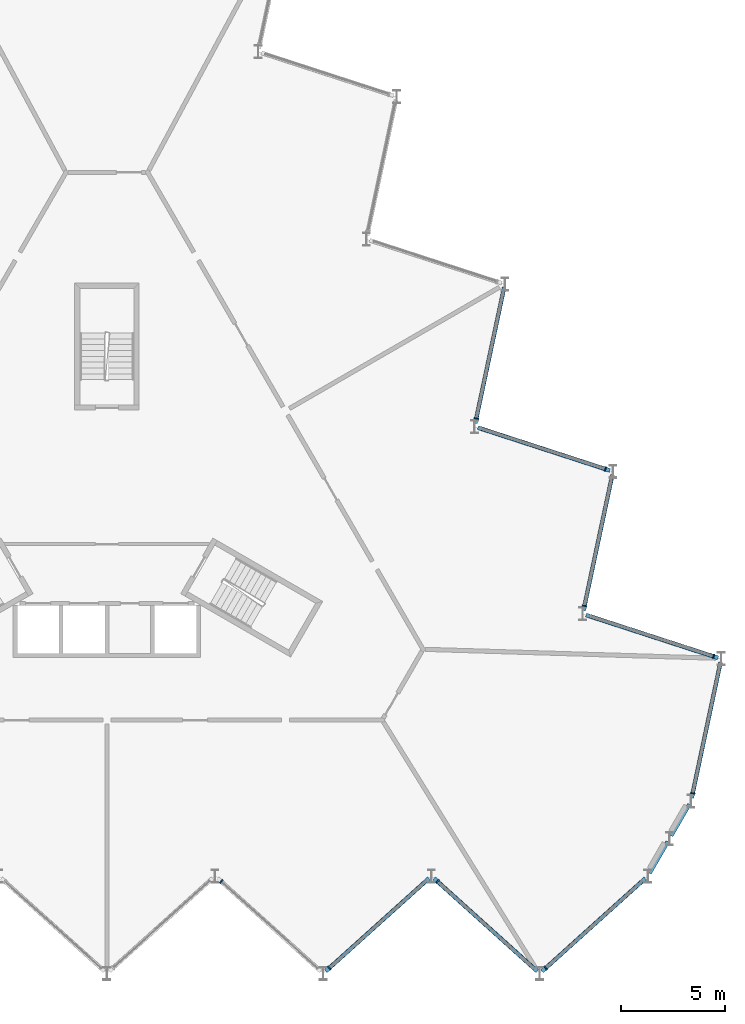
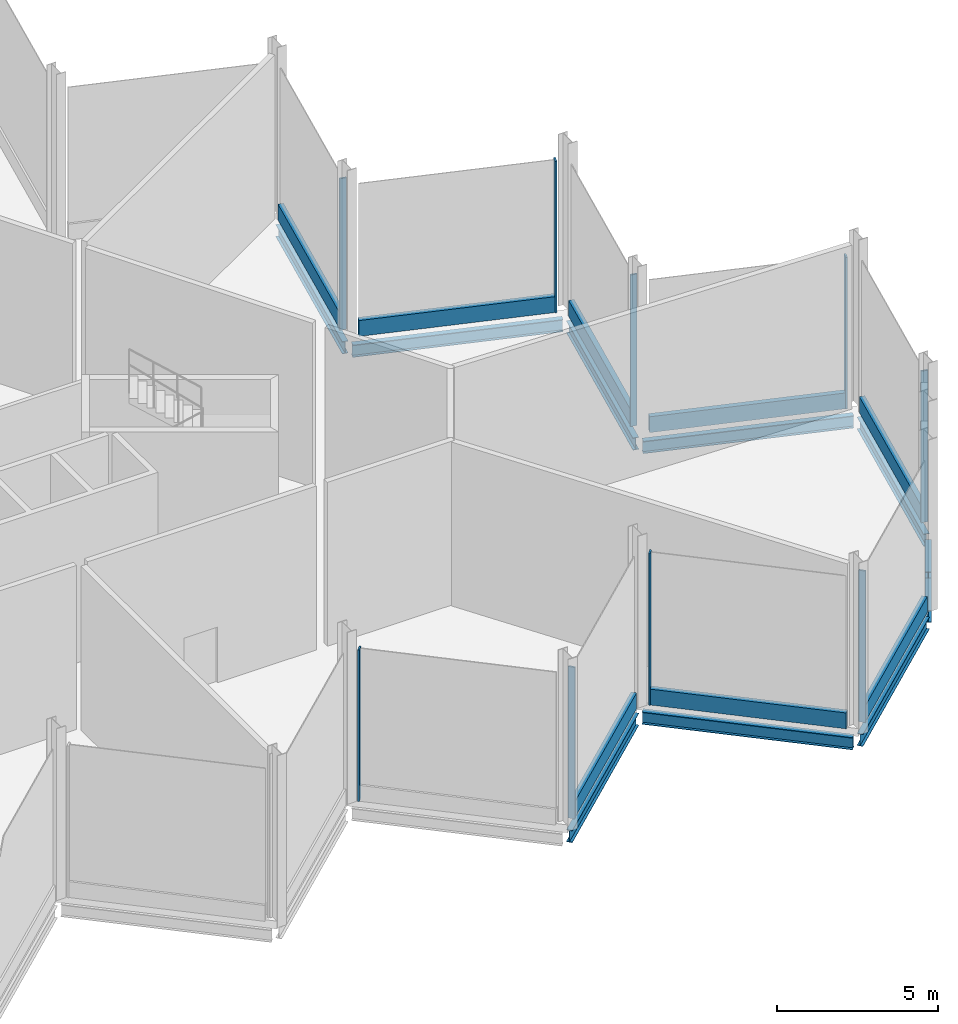
# One storey, part 6 of 12: 17 members, 10 beams, 9 elements without a shape of their own.
"""IFC4 building model written with IfcOpenShell, lengths in metres."""

from ifc_helpers import new_model, si_unit, direction, frame, origin, origin_2d, place, context, subcontext, project, spatial, rectangle, i_section, extrude, material, layer, layer_set, material_profile, profile_set, type_object, element, aggregate, save


model = new_model("IFC4")

# Units and contexts
model_context = context("Model", 3, precision=1e-05, world=origin(), true_north=direction((0.0, 1.0)))
body_context = subcontext(model_context, "Body", "Model", "MODEL_VIEW")
ifc_project = project(units=[si_unit("LENGTHUNIT", "METRE"), si_unit("AREAUNIT", "SQUARE_METRE"), si_unit("VOLUMEUNIT", "CUBIC_METRE"), si_unit("PLANEANGLEUNIT", "RADIAN"), si_unit("MASSUNIT", "GRAM", prefix="KILO")], contexts=[model_context])

# Site, building, storey
site_placement = place(None, origin())
site = spatial("IfcSite", under=ifc_project, at=site_placement, CompositionType="ELEMENT")
building_placement = place(site_placement, origin())
building = spatial("IfcBuilding", under=site, at=building_placement, Name="Cormorant Prow Tower", CompositionType="ELEMENT")
storey_placement = place(building_placement, frame((0.0, 0.0, 421.699951171875)))
storey = spatial("IfcBuildingStorey", under=building, at=storey_placement, Name="L95", CompositionType="ELEMENT", Elevation=421.699951171875)

# Curtain wall, member
ifc_material_1 = material(Name="Aluminium 6063-T6", Category="aluminium")
ifc_layer = layer(ifc_material_1, 0.219970703125)
ifc_layer_set = layer_set([ifc_layer], Name="Aluminium 6063-T6")
curtain_wall_type = type_object("IfcCurtainWallType", Name="Crown unitised curtain wall 220", PredefinedType="NOTDEFINED", material=ifc_layer_set)
curtain_wall_1_placement = place(storey_placement, origin())
curtain_wall_1 = element("IfcCurtainWall", 1, at=curtain_wall_1_placement, inside=storey, type_object=curtain_wall_type, Name="Crown curtain wall crown S06", PredefinedType="NOTDEFINED")
ifc_material_2 = material(Name="Aluminium 6063-T6", Category="aluminium")
ifc_material_profile_1 = material_profile(ifc_material_2, rectangle(XDim=0.219970703125, YDim=0.06005859375, at=origin_2d()), Name="Crown mullion 60x220")
ifc_profile_set_1 = profile_set([ifc_material_profile_1], Name="Aluminium 6063-T6")
member_type_1 = type_object("IfcMemberType", Name="Crown mullion 60x220", PredefinedType="MULLION", material=ifc_profile_set_1)
member_1_placement = place(storey_placement, frame((5.494384765625, -17.670654296875, 0.0), z_axis=(0.0, 0.0, 1.0), x_axis=(0.669130603959, 0.743144827638, 0.0)))
member_1 = element("IfcMember", 2, at=member_1_placement, type_object=member_type_1, Name="Crown mullion crown S06", PredefinedType="MULLION", context=body_context, shape_type="SweptSolid", body=[
    extrude(rectangle(XDim=0.219970703125, YDim=0.06005859375, at=origin_2d()), origin(), (0.0, 0.0, 1.0), 5.73388671875),
])
aggregate(curtain_wall_1, [member_1])

curtain_wall_2_placement = place(storey_placement, origin())
curtain_wall_2 = element("IfcCurtainWall", 3, at=curtain_wall_2_placement, inside=storey, type_object=curtain_wall_type, Name="Crown curtain wall crown S07", PredefinedType="NOTDEFINED")
member_2_placement = place(storey_placement, frame((10.6943359375, -21.82275390625, 0.0), z_axis=(0.0, 0.0, 1.0), x_axis=(-0.669130603959, 0.743144827638, 0.0)))
member_2 = element("IfcMember", 4, at=member_2_placement, type_object=member_type_1, Name="Crown mullion crown S07", PredefinedType="MULLION", context=body_context, shape_type="SweptSolid", body=[
    extrude(rectangle(XDim=0.219970703125, YDim=0.06005859375, at=origin_2d()), origin(), (0.0, 0.0, 1.0), 5.73388671875),
])

curtain_wall_3_placement = place(storey_placement, origin())
curtain_wall_3 = element("IfcCurtainWall", 5, at=curtain_wall_3_placement, inside=storey, type_object=curtain_wall_type, Name="Crown curtain wall crown S08", PredefinedType="NOTDEFINED")
member_3_placement = place(storey_placement, frame((15.894287109375, -17.670654296875, 0.0), z_axis=(0.0, 0.0, 1.0), x_axis=(0.669130603959, 0.743144827638, 0.0)))
member_3 = element("IfcMember", 6, at=member_3_placement, type_object=member_type_1, Name="Crown mullion crown S08", PredefinedType="MULLION", context=body_context, shape_type="SweptSolid", body=[
    extrude(rectangle(XDim=0.219970703125, YDim=0.06005859375, at=origin_2d()), origin(), (0.0, 0.0, 1.0), 5.73388671875),
])

curtain_wall_4_placement = place(storey_placement, origin())
curtain_wall_4 = element("IfcCurtainWall", 7, at=curtain_wall_4_placement, inside=storey, type_object=curtain_wall_type, Name="Crown curtain wall crown S09", PredefinedType="NOTDEFINED")
member_4_placement = place(storey_placement, frame((21.09423828125, -21.82275390625, 0.0), z_axis=(0.0, 0.0, 1.0), x_axis=(-0.669130603959, 0.743144827638, 0.0)))
member_4 = element("IfcMember", 8, at=member_4_placement, type_object=member_type_1, Name="Crown mullion crown S09", PredefinedType="MULLION", context=body_context, shape_type="SweptSolid", body=[
    extrude(rectangle(XDim=0.219970703125, YDim=0.06005859375, at=origin_2d()), origin(), (0.0, 0.0, 1.0), 5.73388671875),
])

curtain_wall_5_placement = place(storey_placement, origin())
curtain_wall_5 = element("IfcCurtainWall", 9, at=curtain_wall_5_placement, inside=storey, type_object=curtain_wall_type, Name="Crown curtain wall crown ENE00", PredefinedType="NOTDEFINED")
member_5_placement = place(storey_placement, frame((28.15625, -13.426513671875, 0.0), z_axis=(0.0, 0.0, 1.0), x_axis=(-0.978147615768, 0.207911620089, 0.0)))
member_5 = element("IfcMember", 10, at=member_5_placement, type_object=member_type_1, Name="Crown mullion crown ENE00", PredefinedType="MULLION", context=body_context, shape_type="SweptSolid", body=[
    extrude(rectangle(XDim=0.219970703125, YDim=0.06005859375, at=origin_2d()), origin(), (0.0, 0.0, 1.0), 5.73388671875),
])

curtain_wall_6_placement = place(storey_placement, origin())
curtain_wall_6 = element("IfcCurtainWall", 11, at=curtain_wall_6_placement, inside=storey, type_object=curtain_wall_type, Name="Crown curtain wall crown ENE01", PredefinedType="NOTDEFINED")
member_6_placement = place(storey_placement, frame((29.152099609375, -6.846923828125, 0.0), z_axis=(0.0, 0.0, 1.0), x_axis=(-0.309016937108, -0.951056534902, 0.0)))
member_6 = element("IfcMember", 12, at=member_6_placement, type_object=member_type_1, Name="Crown mullion crown ENE01", PredefinedType="MULLION", context=body_context, shape_type="SweptSolid", body=[
    extrude(rectangle(XDim=0.219970703125, YDim=0.06005859375, at=origin_2d()), origin(), (0.0, 0.0, 1.0), 5.73388671875),
])

curtain_wall_7_placement = place(storey_placement, origin())
curtain_wall_7 = element("IfcCurtainWall", 13, at=curtain_wall_7_placement, inside=storey, type_object=curtain_wall_type, Name="Crown curtain wall crown ENE02", PredefinedType="NOTDEFINED")
member_7_placement = place(storey_placement, frame((22.9560546875, -4.419677734375, 0.0), z_axis=(0.0, 0.0, 1.0), x_axis=(-0.978147615768, 0.207911620089, 0.0)))
member_7 = element("IfcMember", 14, at=member_7_placement, type_object=member_type_1, Name="Crown mullion crown ENE02", PredefinedType="MULLION", context=body_context, shape_type="SweptSolid", body=[
    extrude(rectangle(XDim=0.219970703125, YDim=0.06005859375, at=origin_2d()), origin(), (0.0, 0.0, 1.0), 5.73388671875),
])

curtain_wall_8_placement = place(storey_placement, origin())
curtain_wall_8 = element("IfcCurtainWall", 15, at=curtain_wall_8_placement, inside=storey, type_object=curtain_wall_type, Name="Crown curtain wall crown ENE03", PredefinedType="NOTDEFINED")
member_8_placement = place(storey_placement, frame((23.951904296875, 2.15966796875, 0.0), z_axis=(0.0, 0.0, 1.0), x_axis=(-0.309017066365, -0.951056492904, 0.0)))
member_8 = element("IfcMember", 16, at=member_8_placement, type_object=member_type_1, Name="Crown mullion crown ENE03", PredefinedType="MULLION", context=body_context, shape_type="SweptSolid", body=[
    extrude(rectangle(XDim=0.219970703125, YDim=0.06005859375, at=origin_2d()), origin(), (0.0, 0.0, 1.0), 5.73388671875),
])

curtain_wall_9_placement = place(storey_placement, origin())
curtain_wall_9 = element("IfcCurtainWall", 17, at=curtain_wall_9_placement, inside=storey, type_object=curtain_wall_type, Name="Crown curtain wall crown ENE04", PredefinedType="NOTDEFINED")
member_9_placement = place(storey_placement, frame((17.756103515625, 4.5869140625, 0.0), z_axis=(0.0, 0.0, 1.0), x_axis=(-0.978147609588, 0.207911649162, 0.0)))
member_9 = element("IfcMember", 18, at=member_9_placement, type_object=member_type_1, Name="Crown mullion crown ENE04", PredefinedType="MULLION", context=body_context, shape_type="SweptSolid", body=[
    extrude(rectangle(XDim=0.219970703125, YDim=0.06005859375, at=origin_2d()), origin(), (0.0, 0.0, 1.0), 5.73388671875),
])

# Beams
ifc_material_3 = material(Name="Structural steel ASTM A992 Gr 50", Category="steel")
ifc_material_profile_2 = material_profile(ifc_material_3, i_section(OverallWidth=0.19287109375, OverallDepth=0.466064453125, WebThickness=0.011474609375, FlangeThickness=0.01904296875, at=origin_2d()), Name="W18x65")
ifc_profile_set_2 = profile_set([ifc_material_profile_2], Name="Structural steel ASTM A992 Gr 50")
beam_type = type_object("IfcBeamType", Name="Crown ring beam W18x65", PredefinedType="SPANDREL", material=ifc_profile_set_2)
beam_1_placement = place(storey_placement, frame((10.521240234375, -21.978515625, -0.532958984375), z_axis=(0.743155826906, 0.669118387832, 0.0), x_axis=(-0.669118387832, 0.743155826906, 0.0)))
element("IfcBeam", 19, at=beam_1_placement, inside=storey, type_object=beam_type, Name="Crown ring beam SB5 S07-S08 L95", PredefinedType="SPANDREL", context=body_context, shape_type="SweptSolid", body=[
    extrude(i_section(OverallWidth=0.19287109375, OverallDepth=0.466064453125, WebThickness=0.011474609375, FlangeThickness=0.01904296875, at=origin_2d()), origin(), (0.0, 0.0, 1.0), 6.6708984375),
])
for number, where, z_axis, x_axis, name in (
    (20, (15.721435546875, -17.514892578125, -0.532958984375), (0.743139440672, -0.669136586743, 0.0), (0.669136586743, 0.743139440672, 0.0), "Crown ring beam SB5 S08-S09 L95"),
    (21, (20.92138671875, -21.978515625, -0.532958984375), (0.743139440672, 0.669136586743, 0.0), (-0.669136586743, 0.743139440672, 0.0), "Crown ring beam SB5 S09-ESE00 L95"),
):
    element("IfcBeam", number, at=place(storey_placement, frame(where, z_axis=z_axis, x_axis=x_axis)), inside=storey, type_object=beam_type, Name=name, PredefinedType="SPANDREL", context=body_context, shape_type="SweptSolid", body=[
        extrude(i_section(OverallWidth=0.19287109375, OverallDepth=0.466064453125, WebThickness=0.011474609375, FlangeThickness=0.01904296875, at=origin_2d()), origin(), (0.0, 0.0, 1.0), 6.670654296875),
    ])
for number, where, z_axis, x_axis, name in (
    (22, (26.08154296875, -17.264404296875, -0.532958984375), (0.500061095026, 0.865990127681, 0.0), (-0.865990127681, 0.500061095026, 0.0), "Crown ring beam SB5 ESE00-ESE01 L95"),
    (23, (27.118408203125, -15.46826171875, -0.532958984375), (0.500061095026, 0.865990127681, 0.0), (-0.865990127681, 0.500061095026, 0.0), "Crown ring beam SB5 ESE01-ENE00 L95"),
):
    element("IfcBeam", number, at=place(storey_placement, frame(where, z_axis=z_axis, x_axis=x_axis)), inside=storey, type_object=beam_type, Name=name, PredefinedType="SPANDREL", context=body_context, shape_type="SweptSolid", body=[
        extrude(i_section(OverallWidth=0.19287109375, OverallDepth=0.466064453125, WebThickness=0.011474609375, FlangeThickness=0.01904296875, at=origin_2d()), origin(), (0.0, 0.0, 1.0), 1.747314453125),
    ])
for number, where, z_axis, x_axis, name in (
    (24, (28.107666015625, -13.654052734375, -0.532958984375), (0.207919161079, 0.978146012851, 0.0), (-0.978146012851, 0.207919161079, 0.0), "Crown ring beam SB5 ENE00-ENE01 L95"),
    (25, (29.373291015625, -6.9189453125, -0.532958984375), (-0.95106042314, 0.309004970083, 0.0), (-0.309004970083, -0.95106042314, 0.0), "Crown ring beam SB5 ENE01-ENE02 L95"),
):
    element("IfcBeam", number, at=place(storey_placement, frame(where, z_axis=z_axis, x_axis=x_axis)), inside=storey, type_object=beam_type, Name=name, PredefinedType="SPANDREL", context=body_context, shape_type="SweptSolid", body=[
        extrude(i_section(OverallWidth=0.19287109375, OverallDepth=0.466064453125, WebThickness=0.011474609375, FlangeThickness=0.01904296875, at=origin_2d()), origin(), (0.0, 0.0, 1.0), 6.670654296875),
    ])
beam_2_placement = place(storey_placement, frame((22.90771484375, -4.6474609375, -0.532958984375), z_axis=(0.207911717999, 0.978147594956, 0.0), x_axis=(-0.978147594956, 0.207911717999, 0.0)))
element("IfcBeam", 26, at=beam_2_placement, inside=storey, type_object=beam_type, Name="Crown ring beam SB5 ENE02-ENE03 L95", PredefinedType="SPANDREL", context=body_context, shape_type="SweptSolid", body=[
    extrude(i_section(OverallWidth=0.19287109375, OverallDepth=0.466064453125, WebThickness=0.011474609375, FlangeThickness=0.01904296875, at=origin_2d()), origin(), (0.0, 0.0, 1.0), 6.6708984375),
])
beam_3_placement = place(storey_placement, frame((24.17333984375, 2.087646484375, -0.532958984375), z_axis=(-0.951049666898, 0.309038073858, 0.0), x_axis=(-0.309038073858, -0.951049666898, 0.0)))
element("IfcBeam", 27, at=beam_3_placement, inside=storey, type_object=beam_type, Name="Crown ring beam SB5 ENE03-ENE04 L95", PredefinedType="SPANDREL", context=body_context, shape_type="SweptSolid", body=[
    extrude(i_section(OverallWidth=0.19287109375, OverallDepth=0.466064453125, WebThickness=0.011474609375, FlangeThickness=0.01904296875, at=origin_2d()), origin(), (0.0, 0.0, 1.0), 6.670654296875),
])
beam_4_placement = place(storey_placement, frame((17.707763671875, 4.359130859375, -0.532958984375), z_axis=(0.207911717999, 0.978147594956, 0.0), x_axis=(-0.978147594956, 0.207911717999, 0.0)))
element("IfcBeam", 28, at=beam_4_placement, inside=storey, type_object=beam_type, Name="Crown ring beam SB5 ENE04-ENE05 L95", PredefinedType="SPANDREL", context=body_context, shape_type="SweptSolid", body=[
    extrude(i_section(OverallWidth=0.19287109375, OverallDepth=0.466064453125, WebThickness=0.011474609375, FlangeThickness=0.01904296875, at=origin_2d()), origin(), (0.0, 0.0, 1.0), 6.6708984375),
])

# Member
ifc_material_4 = material(Name="Terracotta", Category="masonry")
ifc_material_profile_3 = material_profile(ifc_material_4, rectangle(XDim=0.179931640625, YDim=0.60009765625, at=origin_2d()), Name="Crown terracotta spandrel rail 180x600")
ifc_profile_set_3 = profile_set([ifc_material_profile_3], Name="Terracotta")
member_type_2 = type_object("IfcMemberType", Name="Crown terracotta spandrel rail 180x600", PredefinedType="USERDEFINED", material=ifc_profile_set_3)
member_10_placement = place(storey_placement, frame((10.716552734375, -21.802734375, 0.300048828125), z_axis=(0.743159145999, 0.669114701466, 0.0), x_axis=(-0.669114701466, 0.743159145999, 0.0)))
member_10 = element("IfcMember", 29, at=member_10_placement, type_object=member_type_2, Name="Crown spandrel rail crown S07", ObjectType="TRANSOM", PredefinedType="USERDEFINED", context=body_context, shape_type="SweptSolid", body=[
    extrude(rectangle(XDim=0.179931640625, YDim=0.60009765625, at=origin_2d()), origin(), (0.0, 0.0, 1.0), 6.205322265625),
])

aggregate(curtain_wall_2, [member_2, member_10])

member_11_placement = place(storey_placement, frame((15.91650390625, -17.690673828125, 0.300048828125), z_axis=(0.743139582304, -0.669136429447, 0.0), x_axis=(0.669136429447, 0.743139582304, 0.0)))
member_11 = element("IfcMember", 30, at=member_11_placement, type_object=member_type_2, Name="Crown spandrel rail crown S08", ObjectType="TRANSOM", PredefinedType="USERDEFINED", context=body_context, shape_type="SweptSolid", body=[
    extrude(rectangle(XDim=0.179931640625, YDim=0.60009765625, at=origin_2d()), origin(), (0.0, 0.0, 1.0), 6.20556640625),
])

aggregate(curtain_wall_3, [member_3, member_11])

member_12_placement = place(storey_placement, frame((21.11669921875, -21.802734375, 0.300048828125), z_axis=(0.743141530577, 0.669134265699, 0.0), x_axis=(-0.669134265699, 0.743141530577, 0.0)))
member_12 = element("IfcMember", 31, at=member_12_placement, type_object=member_type_2, Name="Crown spandrel rail crown S09", ObjectType="TRANSOM", PredefinedType="USERDEFINED", context=body_context, shape_type="SweptSolid", body=[
    extrude(rectangle(XDim=0.179931640625, YDim=0.60009765625, at=origin_2d()), origin(), (0.0, 0.0, 1.0), 6.205078125),
])

aggregate(curtain_wall_4, [member_4, member_12])

member_13_placement = place(storey_placement, frame((28.162353515625, -13.397216796875, 0.300048828125), z_axis=(0.207927454003, 0.978144250033, 0.0), x_axis=(-0.978144250033, 0.207927454003, 0.0)))
member_13 = element("IfcMember", 32, at=member_13_placement, type_object=member_type_2, Name="Crown spandrel rail crown ENE00", ObjectType="TRANSOM", PredefinedType="USERDEFINED", context=body_context, shape_type="SweptSolid", body=[
    extrude(rectangle(XDim=0.179931640625, YDim=0.60009765625, at=origin_2d()), origin(), (0.0, 0.0, 1.0), 6.20556640625),
])

aggregate(curtain_wall_5, [member_5, member_13])

member_14_placement = place(storey_placement, frame((29.12353515625, -6.837890625, 0.300048828125), z_axis=(-0.951048234918, 0.309042480672, 0.0), x_axis=(-0.309042480672, -0.951048234918, 0.0)))
member_14 = element("IfcMember", 33, at=member_14_placement, type_object=member_type_2, Name="Crown spandrel rail crown ENE01", ObjectType="TRANSOM", PredefinedType="USERDEFINED", context=body_context, shape_type="SweptSolid", body=[
    extrude(rectangle(XDim=0.179931640625, YDim=0.60009765625, at=origin_2d()), origin(), (0.0, 0.0, 1.0), 6.205322265625),
])

aggregate(curtain_wall_6, [member_6, member_14])

member_15_placement = place(storey_placement, frame((22.96240234375, -4.390380859375, 0.300048828125), z_axis=(0.207897812215, 0.978150550619, 0.0), x_axis=(-0.978150550619, 0.207897812215, 0.0)))
member_15 = element("IfcMember", 34, at=member_15_placement, type_object=member_type_2, Name="Crown spandrel rail crown ENE02", ObjectType="TRANSOM", PredefinedType="USERDEFINED", context=body_context, shape_type="SweptSolid", body=[
    extrude(rectangle(XDim=0.179931640625, YDim=0.60009765625, at=origin_2d()), origin(), (0.0, 0.0, 1.0), 6.205078125),
])

aggregate(curtain_wall_7, [member_7, member_15])

member_16_placement = place(storey_placement, frame((23.923583984375, 2.1689453125, 0.300048828125), z_axis=(-0.951059797983, 0.309006894194, 0.0), x_axis=(-0.309006894194, -0.951059797983, 0.0)))
member_16 = element("IfcMember", 35, at=member_16_placement, type_object=member_type_2, Name="Crown spandrel rail crown ENE03", ObjectType="TRANSOM", PredefinedType="USERDEFINED", context=body_context, shape_type="SweptSolid", body=[
    extrude(rectangle(XDim=0.179931640625, YDim=0.60009765625, at=origin_2d()), origin(), (0.0, 0.0, 1.0), 6.205322265625),
])

aggregate(curtain_wall_8, [member_8, member_16])

member_17_placement = place(storey_placement, frame((17.762451171875, 4.6162109375, 0.300048828125), z_axis=(0.207897812215, 0.978150550619, 0.0), x_axis=(-0.978150550619, 0.207897812215, 0.0)))
member_17 = element("IfcMember", 36, at=member_17_placement, type_object=member_type_2, Name="Crown spandrel rail crown ENE04", ObjectType="TRANSOM", PredefinedType="USERDEFINED", context=body_context, shape_type="SweptSolid", body=[
    extrude(rectangle(XDim=0.179931640625, YDim=0.60009765625, at=origin_2d()), origin(), (0.0, 0.0, 1.0), 6.205078125),
])

aggregate(curtain_wall_9, [member_9, member_17])

save(model, "model.ifc")
